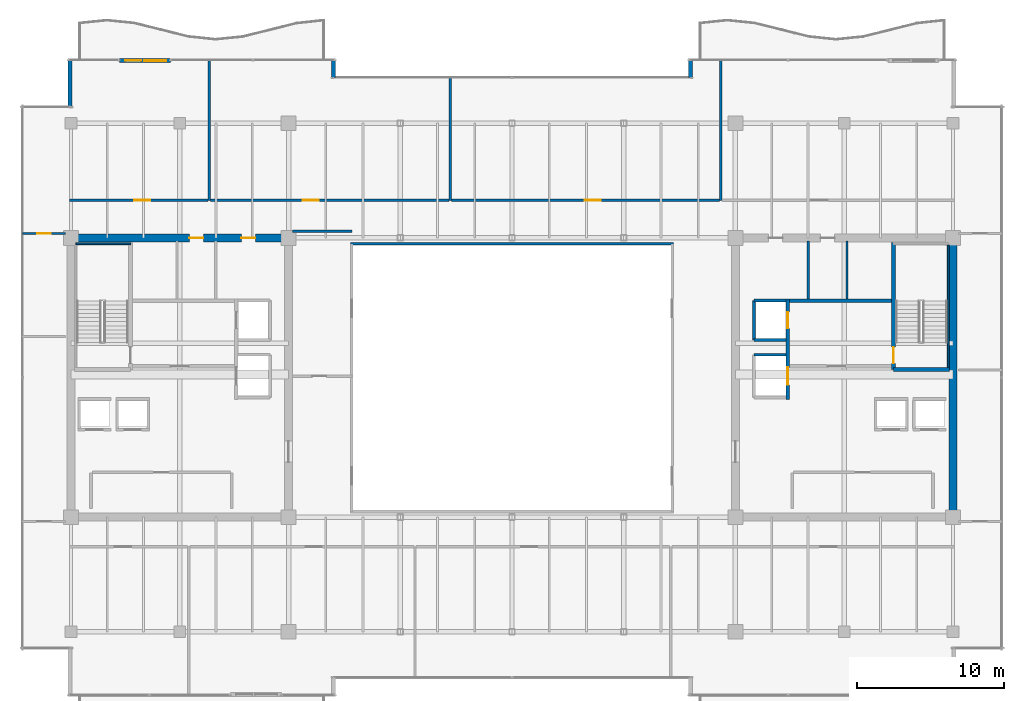
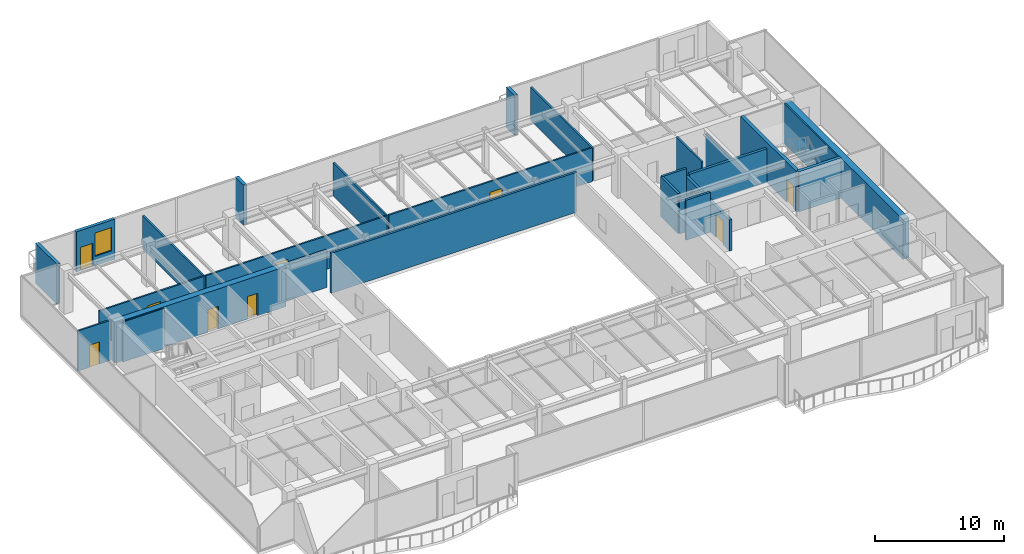
# One storey, part 30 of 34: 27 walls, 10 doors, 1 window, 11 openings.
"""IFC4 building model written with IfcOpenShell, lengths in metres."""

from ifc_helpers import new_model, si_unit, direction, frame, frame_2d, origin, place, context, subcontext, project, spatial, rectangle, extrude, source, transform, mapped, material, layer, layer_set, type_object, type_shapes, element, fill, save


model = new_model("IFC4")

# Units and contexts
model_context = context("Model", 3, precision=1e-05, world=origin(), true_north=direction((0.0, 1.0)))
body_context = subcontext(model_context, "Body", "Model", "MODEL_VIEW")
ifc_project = project(units=[si_unit("LENGTHUNIT", "METRE"), si_unit("AREAUNIT", "SQUARE_METRE"), si_unit("VOLUMEUNIT", "CUBIC_METRE"), si_unit("PLANEANGLEUNIT", "RADIAN"), si_unit("MASSUNIT", "GRAM", prefix="KILO")], contexts=[model_context])

# Site, building, storey
site_placement = place(None, origin())
site = spatial("IfcSite", under=ifc_project, at=site_placement, CompositionType="ELEMENT")
building_placement = place(site_placement, origin())
building = spatial("IfcBuilding", under=site, at=building_placement, Name="Haelvirn Gate Laboratories", CompositionType="ELEMENT")
storey_placement = place(building_placement, frame((0.0, 0.0, 246.5)))
storey = spatial("IfcBuildingStorey", under=building, at=storey_placement, Name="L59", CompositionType="ELEMENT", Elevation=246.5)

# Wall, openings, door, window
ifc_material_1 = material(Name="Thermally-broken bronze aluminium rainscreen & mineral wool", Category="aluminium")
ifc_layer_1 = layer(ifc_material_1, 0.280029296875, Name="EW-TERR-280")
ifc_layer_set_1 = layer_set([ifc_layer_1], Name="Thermally-broken bronze aluminium rainscreen & mineral wool")
wall_type_1 = type_object("IfcWallType", Name="EW-TERR-280", PredefinedType="STANDARD", material=ifc_layer_set_1)
wall_1_placement = place(storey_placement, frame((10.697021484375, 45.860107421875, 0.0), z_axis=(0.0, 0.0, 1.0), x_axis=(1.0, 0.0, 0.0)))
wall_1 = element("IfcWall", 1, at=wall_1_placement, inside=storey, type_object=wall_type_1, Name="L59 Terrace Access Wall WB-WL-N", PredefinedType="STANDARD", context=body_context, shape_type="SweptSolid", body=[
    extrude(rectangle(XDim=3.4560546875, YDim=0.280029296875, at=frame_2d((1.72802734375, 0.0))), origin(), (0.0, 0.0, 1.0), 3.800048828125),
])
opening_1_placement = place(wall_1_placement, frame((0.3779296875, 0.0, 0.0)))
opening_1 = element("IfcOpeningElement", 2, at=opening_1_placement, cuts=wall_1, Name="Opening TD1", PredefinedType="OPENING", context=body_context, shape_type="SweptSolid", body=[
    extrude(rectangle(XDim=1.10009765625, YDim=2.199951171875, at=frame_2d((0.550048828125, 1.10009765625))), frame((0.0, 0.14990234375, 0.0), z_axis=(0.0, -1.0, 0.0), x_axis=(1.0, 0.0, 0.0)), (0.0, 0.0, 1.0), 0.300048828125),
])
opening_2_placement = place(wall_1_placement, frame((1.677978515625, 0.0, 0.89990234375)))
opening_2 = element("IfcOpeningElement", 3, at=opening_2_placement, cuts=wall_1, Name="Opening W3", PredefinedType="OPENING", context=body_context, shape_type="SweptSolid", body=[
    extrude(rectangle(XDim=1.5, YDim=2.199951171875, at=frame_2d((0.75, 1.10009765625))), frame((0.0, 0.14990234375, 0.0), z_axis=(0.0, -1.0, 0.0), x_axis=(1.0, 0.0, 0.0)), (0.0, 0.0, 1.0), 0.300048828125),
])
ifc_material_2 = material(Name="Thermally-broken bronze aluminium glazed terrace door", Category="aluminium")
door_type_1 = type_object("IfcDoorType", Name="DR-TERR-1100", OperationType="NOTDEFINED", PredefinedType="DOOR", material=ifc_material_2)
shared_shape_1 = source(origin(), body_context, "Body", "SweptSolid", [
    extrude(rectangle(XDim=1.10009765625, YDim=2.199951171875, at=frame_2d((0.550048828125, 1.10009765625))), frame((0.0, 0.02490234375, 0.0), z_axis=(0.0, -1.0, 0.0), x_axis=(1.0, 0.0, 0.0)), (0.0, 0.0, 1.0), 0.050048828125),
])
type_shapes(door_type_1, [shared_shape_1])
door_1_placement = place(opening_1_placement, origin())
door_1 = element("IfcDoor", 4, at=door_1_placement, inside=storey, type_object=door_type_1, Name="L59 Terrace Access Door WB-WL-N", OperationType="SINGLE_SWING_RIGHT", OverallHeight=2.199951171875, OverallWidth=1.10009765625, PredefinedType="DOOR", context=body_context, shape_type="MappedRepresentation", body=[
    mapped(shared_shape_1, transform((0.0, 0.0, 0.0), scale=1.0)),
])
fill(opening_1, door_1)
ifc_material_3 = material(Name="Bronze anodised aluminium & triple low-E glass", Category="aluminium")
window_type = type_object("IfcWindowType", Name="WIN-TERR-1600", PartitioningType="SINGLE_PANEL", PredefinedType="WINDOW", material=ifc_material_3)
shared_shape_2 = source(origin(), body_context, "Body", "SweptSolid", [
    extrude(rectangle(XDim=1.5, YDim=2.199951171875, at=frame_2d((0.75, 1.10009765625))), frame((0.0, 0.030029296875, 0.0), z_axis=(0.0, -1.0, 0.0), x_axis=(1.0, 0.0, 0.0)), (0.0, 0.0, 1.0), 0.06005859375),
])
type_shapes(window_type, [shared_shape_2])
window_placement = place(opening_2_placement, origin())
window = element("IfcWindow", 5, at=window_placement, inside=storey, type_object=window_type, Name="L59 Terrace Vision Window WB-WL-N", OverallHeight=2.199951171875, OverallWidth=1.5, PartitioningType="SINGLE_PANEL", PredefinedType="WINDOW", context=body_context, shape_type="MappedRepresentation", body=[
    mapped(shared_shape_2, transform((0.0, 0.0, 0.0), scale=1.0)),
])
fill(opening_2, window)

# Walls
for number, where, z_axis, x_axis, name in (
    (6, (49.5400390625, 46.0, 0.0), (0.0, 0.0, 1.0), (0.0, -1.0, 0.0), "L59 Atrium Recess Bronze Return Wall 11"),
    (7, (25.260009765625, 44.70703125, 0.0), (0.0, 0.0, 1.0), (0.0, 1.0, 0.0), "L59 Atrium Recess Bronze Return Wall 13"),
):
    element("IfcWall", number, at=place(storey_placement, frame(where, z_axis=z_axis, x_axis=x_axis)), inside=storey, type_object=wall_type_1, Name=name, PredefinedType="STANDARD", context=body_context, shape_type="SweptSolid", body=[
        extrude(rectangle(XDim=1.29296875, YDim=0.280029296875, at=frame_2d((0.646484375, 0.0))), origin(), (0.0, 0.0, 1.0), 3.800048828125),
    ])
wall_2_placement = place(storey_placement, frame((7.340087890625, 46.0, 0.0), z_axis=(0.0, 0.0, 1.0), x_axis=(0.0, -1.0, 0.0)))
element("IfcWall", 8, at=wall_2_placement, inside=storey, type_object=wall_type_1, Name="L59 Atrium Recess Bronze Return Wall 15", PredefinedType="STANDARD", context=body_context, shape_type="SweptSolid", body=[
    extrude(rectangle(XDim=3.2880859375, YDim=0.280029296875, at=frame_2d((1.64404296875, 0.0))), origin(), (0.0, 0.0, 1.0), 3.800048828125),
])
ifc_material_4 = material(Name="Double-layer acoustic gypsum laboratory partition", Category="gypsum")
ifc_layer_2 = layer(ifc_material_4, 0.159912109375, Name="IW-ACOUST-160")
ifc_layer_set_2 = layer_set([ifc_layer_2], Name="Double-layer acoustic gypsum laboratory partition")
wall_type_2 = type_object("IfcWallType", Name="IW-ACOUST-160", PredefinedType="PARTITIONING", material=ifc_layer_set_2)
wall_3_placement = place(storey_placement, frame((16.800048828125, 36.360107421875, 0.0), z_axis=(0.0, 0.0, 1.0), x_axis=(0.0, 1.0, 0.0)))
element("IfcWall", 9, at=wall_3_placement, inside=storey, type_object=wall_type_2, Name="L59 Interior Wall IW-L59-NDIV-01", PredefinedType="PARTITIONING", context=body_context, shape_type="SweptSolid", body=[
    extrude(rectangle(XDim=9.52978515625, YDim=0.159912109375, at=frame_2d((4.764892578125, 0.0))), origin(), (0.0, 0.0, 1.0), 3.135009765625),
])
wall_4_placement = place(storey_placement, frame((33.199951171875, 36.360107421875, 0.0), z_axis=(0.0, 0.0, 1.0), x_axis=(0.0, 1.0, 0.0)))
element("IfcWall", 10, at=wall_4_placement, inside=storey, type_object=wall_type_2, Name="L59 Interior Wall IW-L59-NDIV-02", PredefinedType="PARTITIONING", context=body_context, shape_type="SweptSolid", body=[
    extrude(rectangle(XDim=8.329833984375, YDim=0.159912109375, at=frame_2d((4.1650390625, 0.0))), origin(), (0.0, 0.0, 1.0), 3.135009765625),
])
wall_5_placement = place(storey_placement, frame((51.60009765625, 36.360107421875, 0.0), z_axis=(0.0, 0.0, 1.0), x_axis=(0.0, 1.0, 0.0)))
element("IfcWall", 11, at=wall_5_placement, inside=storey, type_object=wall_type_2, Name="L59 Interior Wall IW-L59-NDIV-03", PredefinedType="PARTITIONING", context=body_context, shape_type="SweptSolid", body=[
    extrude(rectangle(XDim=9.52978515625, YDim=0.159912109375, at=frame_2d((4.764892578125, 0.0))), origin(), (0.0, 0.0, 1.0), 3.135009765625),
])
ifc_material_5 = material(Name="Fire-rated acoustic gypsum board partition", Category="gypsum")
ifc_layer_3 = layer(ifc_material_5, 0.175048828125, Name="IW-ACOUST-180")
ifc_layer_set_3 = layer_set([ifc_layer_3], Name="Fire-rated acoustic gypsum board partition")
wall_type_3 = type_object("IfcWallType", Name="IW-ACOUST-180", PredefinedType="PARTITIONING", material=ifc_layer_set_3)
wall_6_placement = place(storey_placement, frame((22.47509765625, 34.260009765625, 0.0), z_axis=(0.0, 0.0, 1.0), x_axis=(1.0, 0.0, 0.0)))
element("IfcWall", 12, at=wall_6_placement, inside=storey, type_object=wall_type_3, Name="L59 Interior Wall IW-L59-WPOD-N", PredefinedType="PARTITIONING", context=body_context, shape_type="SweptSolid", body=[
    extrude(rectangle(XDim=4.02490234375, YDim=0.175048828125, at=frame_2d((2.012451171875, 0.0))), origin(), (0.0, 0.0, 1.0), 3.534912109375),
])
ifc_material_6 = material(Name="Tempered fire-rated borosilicate glass & anodised aluminium", Category="aluminium")
ifc_layer_4 = layer(ifc_material_6, 0.195068359375, Name="IW-GLAZ-200")
ifc_layer_set_4 = layer_set([ifc_layer_4], Name="Tempered fire-rated borosilicate glass & anodised aluminium")
wall_type_4 = type_object("IfcWallType", Name="IW-GLAZ-200", PredefinedType="SOLIDWALL", material=ifc_layer_set_4)
wall_7_placement = place(storey_placement, frame((26.39990234375, 33.39990234375, 0.0), z_axis=(0.0, 0.0, 1.0), x_axis=(1.0, 0.0, 0.0)))
element("IfcWall", 13, at=wall_7_placement, inside=storey, type_object=wall_type_4, Name="L59 Interior Wall IW-L59-ATRIUM-N", PredefinedType="SOLIDWALL", context=body_context, shape_type="SweptSolid", body=[
    extrude(rectangle(XDim=22.0, YDim=0.195068359375, at=frame_2d((11.0, 0.0))), origin(), (0.0, 0.0, 1.0), 3.800048828125),
])

# Wall, opening, door
ifc_material_7 = material(Name="Acoustic mineral-wool gypsum board partition", Category="gypsum")
ifc_layer_5 = layer(ifc_material_7, 0.139892578125, Name="IW-PART-140")
ifc_layer_set_5 = layer_set([ifc_layer_5], Name="Acoustic mineral-wool gypsum board partition")
wall_type_5 = type_object("IfcWallType", Name="IW-PART-140", PredefinedType="PARTITIONING", material=ifc_layer_set_5)
wall_8_placement = place(storey_placement, frame((7.31005859375, 36.360107421875, 0.0), z_axis=(0.0, 0.0, 1.0), x_axis=(1.0, 0.0, 0.0)))
wall_8 = element("IfcWall", 14, at=wall_8_placement, inside=storey, type_object=wall_type_5, Name="L59 Interior Wall IW-L59-NCORR-01", PredefinedType="PARTITIONING", context=body_context, shape_type="SweptSolid", body=[
    extrude(rectangle(XDim=9.409912109375, YDim=0.139892578125, at=frame_2d((4.705078125, 0.0))), origin(), (0.0, 0.0, 1.0), 3.197021484375),
])
opening_3_placement = place(wall_8_placement, frame((4.38330078125, 0.0, 0.0)))
opening_3 = element("IfcOpeningElement", 15, at=opening_3_placement, cuts=wall_8, Name="Opening D1", PredefinedType="OPENING", context=body_context, shape_type="SweptSolid", body=[
    extrude(rectangle(XDim=1.10009765625, YDim=2.179931640625, at=frame_2d((0.550048828125, 1.08984375))), frame((0.0, 0.080078125, 0.0), z_axis=(0.0, -1.0, 0.0), x_axis=(1.0, 0.0, 0.0)), (0.0, 0.0, 1.0), 0.159912109375),
])
ifc_material_8 = material(Name="Vision-panel acoustic solid-core timber lab door", Category="wood")
door_type_2 = type_object("IfcDoorType", Name="DR-LAB-1100", OperationType="NOTDEFINED", PredefinedType="DOOR", material=ifc_material_8)
shared_shape_3 = source(origin(), body_context, "Body", "SweptSolid", [
    extrude(rectangle(XDim=1.10009765625, YDim=2.179931640625, at=frame_2d((0.550048828125, 1.08984375))), frame((0.0, 0.02490234375, 0.0), z_axis=(0.0, -1.0, 0.0), x_axis=(1.0, 0.0, 0.0)), (0.0, 0.0, 1.0), 0.050048828125),
])
type_shapes(door_type_2, [shared_shape_3])
door_2_placement = place(opening_3_placement, origin())
door_2 = element("IfcDoor", 16, at=door_2_placement, inside=storey, type_object=door_type_2, Name="L59 Colloquium Conference Room Door N1", OperationType="SINGLE_SWING_LEFT", OverallHeight=2.179931640625, OverallWidth=1.10009765625, PredefinedType="DOOR", context=body_context, shape_type="MappedRepresentation", body=[
    mapped(shared_shape_3, transform((0.0, 0.0, 0.0), scale=1.0)),
])
fill(opening_3, door_2)

wall_9_placement = place(storey_placement, frame((16.8798828125, 36.360107421875, 0.0), z_axis=(0.0, 0.0, 1.0), x_axis=(1.0, 0.0, 0.0)))
wall_9 = element("IfcWall", 17, at=wall_9_placement, inside=storey, type_object=wall_type_5, Name="L59 Interior Wall IW-L59-NCORR-02", PredefinedType="PARTITIONING", context=body_context, shape_type="SweptSolid", body=[
    extrude(rectangle(XDim=16.240234375, YDim=0.139892578125, at=frame_2d((8.1201171875, 0.0))), origin(), (0.0, 0.0, 1.0), 3.197021484375),
])
opening_4_placement = place(wall_9_placement, frame((6.2705078125, 0.0, 0.0)))
opening_4 = element("IfcOpeningElement", 18, at=opening_4_placement, cuts=wall_9, Name="Opening D1", PredefinedType="OPENING", context=body_context, shape_type="SweptSolid", body=[
    extrude(rectangle(XDim=1.10009765625, YDim=2.179931640625, at=frame_2d((0.550048828125, 1.08984375))), frame((0.0, 0.080078125, 0.0), z_axis=(0.0, -1.0, 0.0), x_axis=(1.0, 0.0, 0.0)), (0.0, 0.0, 1.0), 0.159912109375),
])
door_3_placement = place(opening_4_placement, origin())
door_3 = element("IfcDoor", 19, at=door_3_placement, inside=storey, type_object=door_type_2, Name="L59 Protocol Briefing Training Room Door N2", OperationType="SINGLE_SWING_RIGHT", OverallHeight=2.179931640625, OverallWidth=1.10009765625, PredefinedType="DOOR", context=body_context, shape_type="MappedRepresentation", body=[
    mapped(shared_shape_3, transform((0.0, 0.0, 0.0), scale=1.0)),
])
fill(opening_4, door_3)

wall_10_placement = place(storey_placement, frame((33.280029296875, 36.360107421875, 0.0), z_axis=(0.0, 0.0, 1.0), x_axis=(1.0, 0.0, 0.0)))
wall_10 = element("IfcWall", 20, at=wall_10_placement, inside=storey, type_object=wall_type_5, Name="L59 Interior Wall IW-L59-NCORR-03", PredefinedType="PARTITIONING", context=body_context, shape_type="SweptSolid", body=[
    extrude(rectangle(XDim=18.239990234375, YDim=0.139892578125, at=frame_2d((9.1201171875, 0.0))), origin(), (0.0, 0.0, 1.0), 3.197021484375),
])
opening_5_placement = place(wall_10_placement, frame((9.063232421875, 0.0, 0.0)))
opening_5 = element("IfcOpeningElement", 21, at=opening_5_placement, cuts=wall_10, Name="Opening D1", PredefinedType="OPENING", context=body_context, shape_type="SweptSolid", body=[
    extrude(rectangle(XDim=1.10009765625, YDim=2.179931640625, at=frame_2d((0.550048828125, 1.08984375))), frame((0.0, 0.080078125, 0.0), z_axis=(0.0, -1.0, 0.0), x_axis=(1.0, 0.0, 0.0)), (0.0, 0.0, 1.0), 0.159912109375),
])
door_4_placement = place(opening_5_placement, origin())
door_4 = element("IfcDoor", 22, at=door_4_placement, inside=storey, type_object=door_type_2, Name="L59 Peer-Review Seminar Room Door N3", OperationType="SINGLE_SWING_LEFT", OverallHeight=2.179931640625, OverallWidth=1.10009765625, PredefinedType="DOOR", context=body_context, shape_type="MappedRepresentation", body=[
    mapped(shared_shape_3, transform((0.0, 0.0, 0.0), scale=1.0)),
])
fill(opening_5, door_4)

wall_11_placement = place(storey_placement, frame((4.110107421875, 34.094970703125, 0.0), z_axis=(0.0, 0.0, 1.0), x_axis=(1.0, 0.0, 0.0)))
wall_11 = element("IfcWall", 23, at=wall_11_placement, inside=storey, type_object=wall_type_5, Name="L59 Interior Wall IW-L59-WZ3-ENT-N", PredefinedType="PARTITIONING", context=body_context, shape_type="SweptSolid", body=[
    extrude(rectangle(XDim=2.909912109375, YDim=0.139892578125, at=frame_2d((1.455078125, 0.0))), origin(), (0.0, 0.0, 1.0), 3.800048828125),
])
opening_6_placement = place(wall_11_placement, frame((1.0048828125, 0.0, 0.0)))
opening_6 = element("IfcOpeningElement", 24, at=opening_6_placement, cuts=wall_11, Name="Opening D4", PredefinedType="OPENING", context=body_context, shape_type="SweptSolid", body=[
    extrude(rectangle(XDim=0.89990234375, YDim=2.10009765625, at=frame_2d((0.449951171875, 1.050048828125))), frame((0.0, 0.080078125, 0.0), z_axis=(0.0, -1.0, 0.0), x_axis=(1.0, 0.0, 0.0)), (0.0, 0.0, 1.0), 0.159912109375),
])
ifc_material_9 = material(Name="Glazed aluminium-framed write-up door", Category="aluminium")
door_type_3 = type_object("IfcDoorType", Name="DR-OFF-900", OperationType="NOTDEFINED", PredefinedType="DOOR", material=ifc_material_9)
shared_shape_4 = source(origin(), body_context, "Body", "SweptSolid", [
    extrude(rectangle(XDim=0.89990234375, YDim=2.10009765625, at=frame_2d((0.449951171875, 1.050048828125))), frame((0.0, 0.02490234375, 0.0), z_axis=(0.0, -1.0, 0.0), x_axis=(1.0, 0.0, 0.0)), (0.0, 0.0, 1.0), 0.050048828125),
])
type_shapes(door_type_3, [shared_shape_4])
door_5_placement = place(opening_6_placement, origin())
door_5 = element("IfcDoor", 25, at=door_5_placement, inside=storey, type_object=door_type_3, Name="L59 Analytical Instrument Suite Door W-N", OperationType="SINGLE_SWING_RIGHT", OverallHeight=2.10009765625, OverallWidth=0.89990234375, PredefinedType="DOOR", context=body_context, shape_type="MappedRepresentation", body=[
    mapped(shared_shape_4, transform((0.0, 0.0, 0.0), scale=1.0)),
])
fill(opening_6, door_5)

# Walls
ifc_material_10 = material(Name="Cement-board restroom plumbing chase wall", Category="gypsum")
ifc_layer_6 = layer(ifc_material_10, 0.155029296875, Name="IW-PLUMB-160")
ifc_layer_set_6 = layer_set([ifc_layer_6], Name="Cement-board restroom plumbing chase wall")
wall_type_6 = type_object("IfcWallType", Name="IW-PLUMB-160", PredefinedType="PLUMBINGWALL", material=ifc_layer_set_6)
wall_12_placement = place(storey_placement, frame((60.18994140625, 29.64990234375, 0.0), z_axis=(0.0, 0.0, 1.0), x_axis=(0.0, 1.0, 0.0)))
element("IfcWall", 26, at=wall_12_placement, inside=storey, type_object=wall_type_6, Name="L59 Interior Wall IW-L59-E-CDIV-0", PredefinedType="PLUMBINGWALL", context=body_context, shape_type="SweptSolid", body=[
    extrude(rectangle(XDim=3.93017578125, YDim=0.155029296875, at=frame_2d((1.965087890625, 0.0))), origin(), (0.0, 0.0, 1.0), 3.197021484375),
])
wall_13_placement = place(storey_placement, frame((57.56005859375, 29.64990234375, 0.0), z_axis=(0.0, 0.0, 1.0), x_axis=(0.0, 1.0, 0.0)))
element("IfcWall", 27, at=wall_13_placement, inside=storey, type_object=wall_type_6, Name="L59 Interior Wall IW-L59-E-CDIV-1", PredefinedType="PLUMBINGWALL", context=body_context, shape_type="SweptSolid", body=[
    extrude(rectangle(XDim=3.93017578125, YDim=0.155029296875, at=frame_2d((1.965087890625, 0.0))), origin(), (0.0, 0.0, 1.0), 3.800048828125),
])
ifc_material_11 = material(Name="Concrete C40/50", Category="concrete")
ifc_layer_7 = layer(ifc_material_11, 0.199951171875, Name="IW-SHAFT-200")
ifc_layer_set_7 = layer_set([ifc_layer_7], Name="Concrete C40/50")
wall_type_7 = type_object("IfcWallType", Name="IW-SHAFT-200", PredefinedType="SOLIDWALL", material=ifc_layer_set_7)
wall_14_placement = place(storey_placement, frame((53.85009765625, 26.85009765625, 0.0), z_axis=(0.0, 0.0, 1.0), x_axis=(0.0, 1.0, 0.0)))
element("IfcWall", 28, at=wall_14_placement, inside=storey, type_object=wall_type_7, Name="L59 Interior Wall IW-L59-FL2-BK", PredefinedType="SOLIDWALL", context=body_context, shape_type="SweptSolid", body=[
    extrude(rectangle(XDim=2.699951171875, YDim=0.199951171875, at=frame_2d((1.35009765625, 0.0))), origin(), (0.0, 0.0, 1.0), 3.800048828125),
])
wall_15_placement = place(storey_placement, frame((53.85009765625, 29.550048828125, 0.0), z_axis=(0.0, 0.0, 1.0), x_axis=(1.0, 0.0, 0.0)))
element("IfcWall", 29, at=wall_15_placement, inside=storey, type_object=wall_type_7, Name="L59 Interior Wall IW-L59-FL2-N", PredefinedType="SOLIDWALL", context=body_context, shape_type="SweptSolid", body=[
    extrude(rectangle(XDim=2.18994140625, YDim=0.199951171875, at=frame_2d((1.094970703125, 0.0))), origin(), (0.0, 0.0, 1.0), 3.800048828125),
])
wall_16_placement = place(storey_placement, frame((53.85009765625, 26.85009765625, 0.0), z_axis=(0.0, 0.0, 1.0), x_axis=(1.0, 0.0, 0.0)))
element("IfcWall", 30, at=wall_16_placement, inside=storey, type_object=wall_type_7, Name="L59 Interior Wall IW-L59-FL2-S", PredefinedType="SOLIDWALL", context=body_context, shape_type="SweptSolid", body=[
    extrude(rectangle(XDim=2.18994140625, YDim=0.199951171875, at=frame_2d((1.094970703125, 0.0))), origin(), (0.0, 0.0, 1.0), 3.197021484375),
])
wall_17_placement = place(storey_placement, frame((53.85009765625, 25.85009765625, 0.0), z_axis=(0.0, 0.0, 1.0), x_axis=(1.0, 0.0, 0.0)))
element("IfcWall", 31, at=wall_17_placement, inside=storey, type_object=wall_type_7, Name="L59 Interior Wall IW-L59-SL2-N", PredefinedType="SOLIDWALL", context=body_context, shape_type="SweptSolid", body=[
    extrude(rectangle(XDim=2.18994140625, YDim=0.199951171875, at=frame_2d((1.094970703125, 0.0))), origin(), (0.0, 0.0, 1.0), 3.800048828125),
])
ifc_layer_8 = layer(ifc_material_11, 0.239990234375, Name="IW-SHAFT-240")
ifc_layer_set_8 = layer_set([ifc_layer_8], Name="Concrete C40/50")
wall_type_8 = type_object("IfcWallType", Name="IW-SHAFT-240", PredefinedType="SOLIDWALL", material=ifc_layer_set_8)
wall_18_placement = place(storey_placement, frame((56.280029296875, 29.52001953125, 0.0), z_axis=(0.0, 0.0, 1.0), x_axis=(1.0, 0.0, 0.0)))
element("IfcWall", 32, at=wall_18_placement, inside=storey, type_object=wall_type_8, Name="L59 Interior Wall IW-L59-E-FF-N", PredefinedType="SOLIDWALL", context=body_context, shape_type="SweptSolid", body=[
    extrude(rectangle(XDim=6.919921875, YDim=0.239990234375, at=frame_2d((3.4599609375, 0.0))), origin(), (0.0, 0.0, 1.0), 3.197021484375),
])

# Wall, openings, doors
wall_19_placement = place(storey_placement, frame((56.159912109375, 22.800048828125, 0.0), z_axis=(0.0, 0.0, 1.0), x_axis=(0.0, 1.0, 0.0)))
wall_19 = element("IfcWall", 33, at=wall_19_placement, inside=storey, type_object=wall_type_8, Name="L59 Interior Wall IW-L59-E-FF-E", PredefinedType="SOLIDWALL", context=body_context, shape_type="SweptSolid", body=[
    extrude(rectangle(XDim=6.849853515625, YDim=0.239990234375, at=frame_2d((3.4248046875, 0.0))), origin(), (0.0, 0.0, 1.0), 2.93505859375),
])
opening_7_placement = place(wall_19_placement, frame((4.85009765625, 0.0, 0.0)))
opening_7 = element("IfcOpeningElement", 34, at=opening_7_placement, cuts=wall_19, Name="Opening LD2", PredefinedType="OPENING", context=body_context, shape_type="SweptSolid", body=[
    extrude(rectangle(XDim=1.10009765625, YDim=2.219970703125, at=frame_2d((0.550048828125, 1.10986328125))), frame((0.0, 0.1298828125, 0.0), z_axis=(0.0, -1.0, 0.0), x_axis=(1.0, 0.0, 0.0)), (0.0, 0.0, 1.0), 0.260009765625),
])
opening_8_placement = place(wall_19_placement, frame((1.0, 0.0, 0.0)))
opening_8 = element("IfcOpeningElement", 35, at=opening_8_placement, cuts=wall_19, Name="Opening LD1", PredefinedType="OPENING", context=body_context, shape_type="SweptSolid", body=[
    extrude(rectangle(XDim=1.199951171875, YDim=2.219970703125, at=frame_2d((0.60009765625, 1.10986328125))), frame((0.0, 0.1298828125, 0.0), z_axis=(0.0, -1.0, 0.0), x_axis=(1.0, 0.0, 0.0)), (0.0, 0.0, 1.0), 0.260009765625),
])
ifc_material_12 = material(Name="Bronze stainless 316L sliding lift landing door")
door_type_4 = type_object("IfcDoorType", Name="DR-LD-1100", OperationType="NOTDEFINED", PredefinedType="USERDEFINED", material=ifc_material_12)
shared_shape_5 = source(origin(), body_context, "Body", "SweptSolid", [
    extrude(rectangle(XDim=1.10009765625, YDim=2.219970703125, at=frame_2d((0.550048828125, 1.10986328125))), frame((0.0, 0.02490234375, 0.0), z_axis=(0.0, -1.0, 0.0), x_axis=(1.0, 0.0, 0.0)), (0.0, 0.0, 1.0), 0.050048828125),
])
type_shapes(door_type_4, [shared_shape_5])
door_6_placement = place(opening_7_placement, origin())
door_6 = element("IfcDoor", 36, at=door_6_placement, inside=storey, type_object=door_type_4, Name="L59 Firefighting Lift FL2 Landing Door", ObjectType="LANDING_DOOR", OperationType="SLIDING_TO_RIGHT", OverallHeight=2.219970703125, OverallWidth=1.10009765625, PredefinedType="USERDEFINED", context=body_context, shape_type="MappedRepresentation", body=[
    mapped(shared_shape_5, transform((0.0, 0.0, 0.0), scale=1.0)),
])
fill(opening_7, door_6)
ifc_material_13 = material(Name="Stainless steel 316L sliding goods landing door", Category="steel")
door_type_5 = type_object("IfcDoorType", Name="DR-LD-1200", OperationType="NOTDEFINED", PredefinedType="USERDEFINED", material=ifc_material_13)
shared_shape_6 = source(origin(), body_context, "Body", "SweptSolid", [
    extrude(rectangle(XDim=1.199951171875, YDim=2.219970703125, at=frame_2d((0.60009765625, 1.10986328125))), frame((0.0, 0.02490234375, 0.0), z_axis=(0.0, -1.0, 0.0), x_axis=(1.0, 0.0, 0.0)), (0.0, 0.0, 1.0), 0.050048828125),
])
type_shapes(door_type_5, [shared_shape_6])
door_7_placement = place(opening_8_placement, origin())
door_7 = element("IfcDoor", 37, at=door_7_placement, inside=storey, type_object=door_type_5, Name="L59 Service Lift SL2 Landing Door", ObjectType="LANDING_DOOR", OperationType="SLIDING_TO_LEFT", OverallHeight=2.219970703125, OverallWidth=1.199951171875, PredefinedType="USERDEFINED", context=body_context, shape_type="MappedRepresentation", body=[
    mapped(shared_shape_6, transform((0.0, 0.0, 0.0), scale=1.0)),
])
fill(opening_8, door_7)

ifc_material_14 = material(Name="Concrete C50/60", Category="concrete")
ifc_layer_9 = layer(ifc_material_14, 0.550048828125, Name="SW-CORE-550")
ifc_layer_set_9 = layer_set([ifc_layer_9], Name="Concrete C50/60")
wall_type_9 = type_object("IfcWallType", Name="SW-CORE-550", PredefinedType="SHEAR", material=ifc_layer_set_9)
wall_20_placement = place(storey_placement, frame((7.125, 33.800048828125, 0.0), z_axis=(0.0, 0.0, 1.0), x_axis=(1.0, 0.0, 0.0)))
wall_20 = element("IfcWall", 38, at=wall_20_placement, inside=storey, type_object=wall_type_9, Name="L59 W Core Shear Wall N", PredefinedType="SHEAR", context=body_context, shape_type="SweptSolid", body=[
    extrude(rectangle(XDim=15.35009765625, YDim=0.550048828125, at=frame_2d((7.675048828125, 0.0))), origin(), (0.0, 0.0, 1.0), 3.800048828125),
])
opening_9_placement = place(wall_20_placement, frame((8.324951171875, 0.0, 0.0)))
opening_9 = element("IfcOpeningElement", 39, at=opening_9_placement, cuts=wall_20, Name="Opening FD4", PredefinedType="OPENING", context=body_context, shape_type="SweptSolid", body=[
    extrude(rectangle(XDim=0.949951171875, YDim=2.14990234375, at=frame_2d((0.47509765625, 1.074951171875))), frame((0.0, 0.28515625, 0.0), z_axis=(0.0, -1.0, 0.0), x_axis=(1.0, 0.0, 0.0)), (0.0, 0.0, 1.0), 0.570068359375),
])
opening_10_placement = place(wall_20_placement, frame((11.864990234375, 0.0, 0.0)))
opening_10 = element("IfcOpeningElement", 40, at=opening_10_placement, cuts=wall_20, Name="Opening FD4", PredefinedType="OPENING", context=body_context, shape_type="SweptSolid", body=[
    extrude(rectangle(XDim=0.949951171875, YDim=2.14990234375, at=frame_2d((0.47509765625, 1.074951171875))), frame((0.0, 0.28515625, 0.0), z_axis=(0.0, -1.0, 0.0), x_axis=(1.0, 0.0, 0.0)), (0.0, 0.0, 1.0), 0.570068359375),
])
ifc_material_15 = material(Name="Fire-rated steel SM355 core service door", Category="steel")
door_type_6 = type_object("IfcDoorType", Name="DR-FD-950", OperationType="NOTDEFINED", PredefinedType="DOOR", material=ifc_material_15)
shared_shape_7 = source(origin(), body_context, "Body", "SweptSolid", [
    extrude(rectangle(XDim=0.949951171875, YDim=2.14990234375, at=frame_2d((0.47509765625, 1.074951171875))), frame((0.0, 0.02490234375, 0.0), z_axis=(0.0, -1.0, 0.0), x_axis=(1.0, 0.0, 0.0)), (0.0, 0.0, 1.0), 0.050048828125),
])
type_shapes(door_type_6, [shared_shape_7])
door_8_placement = place(opening_9_placement, origin())
door_8 = element("IfcDoor", 41, at=door_8_placement, inside=storey, type_object=door_type_6, Name="L59 Accessible Restroom Fire Door", OperationType="SINGLE_SWING_RIGHT", OverallHeight=2.14990234375, OverallWidth=0.949951171875, PredefinedType="DOOR", context=body_context, shape_type="MappedRepresentation", body=[
    mapped(shared_shape_7, transform((0.0, 0.0, 0.0), scale=1.0)),
])
fill(opening_9, door_8)
door_9_placement = place(opening_10_placement, origin())
door_9 = element("IfcDoor", 42, at=door_9_placement, inside=storey, type_object=door_type_6, Name="L59 Staff Restroom Fire Door", OperationType="SINGLE_SWING_LEFT", OverallHeight=2.14990234375, OverallWidth=0.949951171875, PredefinedType="DOOR", context=body_context, shape_type="MappedRepresentation", body=[
    mapped(shared_shape_7, transform((0.0, 0.0, 0.0), scale=1.0)),
])
fill(opening_10, door_9)

# Walls
wall_21_placement = place(storey_placement, frame((67.39990234375, 15.074951171875, 0.0), z_axis=(0.0, 0.0, 1.0), x_axis=(0.0, 1.0, 0.0)))
element("IfcWall", 43, at=wall_21_placement, inside=storey, type_object=wall_type_9, Name="L59 E Core Shear Wall E", PredefinedType="SHEAR", context=body_context, shape_type="SweptSolid", body=[
    extrude(rectangle(XDim=18.449951171875, YDim=0.550048828125, at=frame_2d((9.22509765625, 0.0))), origin(), (0.0, 0.0, 1.0), 3.800048828125),
])
ifc_layer_10 = layer(ifc_material_14, 0.1201171875, Name="SW-LINER-120")
ifc_layer_set_10 = layer_set([ifc_layer_10], Name="Concrete C50/60")
wall_type_10 = type_object("IfcWallType", Name="SW-LINER-120", PredefinedType="SOLIDWALL", material=ifc_layer_set_10)
wall_22_placement = place(storey_placement, frame((7.72998046875, 33.39990234375, 0.0), z_axis=(0.0, 0.0, 1.0), x_axis=(1.0, 0.0, 0.0)))
element("IfcWall", 44, at=wall_22_placement, inside=storey, type_object=wall_type_10, Name="L59 W Core Stair Shaft Liner Wall N", PredefinedType="SOLIDWALL", context=body_context, shape_type="SweptSolid", body=[
    extrude(rectangle(XDim=3.719970703125, YDim=0.1201171875, at=frame_2d((1.85986328125, 0.0))), origin(), (0.0, 0.0, 1.0), 3.800048828125),
])
wall_23_placement = place(storey_placement, frame((67.070068359375, 25.0, 0.0), z_axis=(0.0, 0.0, 1.0), x_axis=(0.0, 1.0, 0.0)))
element("IfcWall", 45, at=wall_23_placement, inside=storey, type_object=wall_type_10, Name="L59 E Core Stair Shaft Liner Wall OUT", PredefinedType="SOLIDWALL", context=body_context, shape_type="SweptSolid", body=[
    extrude(rectangle(XDim=8.320068359375, YDim=0.1201171875, at=frame_2d((4.16015625, 0.0))), origin(), (0.0, 0.0, 1.0), 3.800048828125),
])

# Wall, opening, door
ifc_layer_11 = layer(ifc_material_14, 0.300048828125, Name="SW-STAIR-300")
ifc_layer_set_11 = layer_set([ifc_layer_11], Name="Concrete C50/60")
wall_type_11 = type_object("IfcWallType", Name="SW-STAIR-300", PredefinedType="SHEAR", material=ifc_layer_set_11)
wall_24_placement = place(storey_placement, frame((63.35009765625, 24.85009765625, 0.0), z_axis=(0.0, 0.0, 1.0), x_axis=(0.0, 1.0, 0.0)))
wall_24 = element("IfcWall", 46, at=wall_24_placement, inside=storey, type_object=wall_type_11, Name="L59 E Core Stair Shaft Structural Wall IN", PredefinedType="SHEAR", context=body_context, shape_type="SweptSolid", body=[
    extrude(rectangle(XDim=8.6298828125, YDim=0.300048828125, at=frame_2d((4.31494140625, 0.0))), origin(), (0.0, 0.0, 1.0), 3.800048828125),
])
opening_11_placement = place(wall_24_placement, frame((0.419921875, 0.0, 0.0)))
opening_11 = element("IfcOpeningElement", 47, at=opening_11_placement, cuts=wall_24, Name="Opening FD3", PredefinedType="OPENING", context=body_context, shape_type="SweptSolid", body=[
    extrude(rectangle(XDim=1.10009765625, YDim=2.14990234375, at=frame_2d((0.550048828125, 1.074951171875))), frame((0.0, 0.16015625, 0.0), z_axis=(0.0, -1.0, 0.0), x_axis=(1.0, 0.0, 0.0)), (0.0, 0.0, 1.0), 0.320068359375),
])
ifc_material_16 = material(Name="Fire-rated steel SM355 escape stair door", Category="steel")
door_type_7 = type_object("IfcDoorType", Name="DR-FD-1100", OperationType="NOTDEFINED", PredefinedType="DOOR", material=ifc_material_16)
shared_shape_8 = source(origin(), body_context, "Body", "SweptSolid", [
    extrude(rectangle(XDim=1.10009765625, YDim=2.14990234375, at=frame_2d((0.550048828125, 1.074951171875))), frame((0.0, 0.02490234375, 0.0), z_axis=(0.0, -1.0, 0.0), x_axis=(1.0, 0.0, 0.0)), (0.0, 0.0, 1.0), 0.050048828125),
])
type_shapes(door_type_7, [shared_shape_8])
door_10_placement = place(opening_11_placement, origin())
door_10 = element("IfcDoor", 48, at=door_10_placement, inside=storey, type_object=door_type_7, Name="L59 Escape Stair ST2 Fire Door", OperationType="SINGLE_SWING_RIGHT", OverallHeight=2.14990234375, OverallWidth=1.10009765625, PredefinedType="DOOR", context=body_context, shape_type="MappedRepresentation", body=[
    mapped(shared_shape_8, transform((0.0, 0.0, 0.0), scale=1.0)),
])
fill(opening_11, door_10)

# Wall
wall_25_placement = place(storey_placement, frame((63.35009765625, 24.85009765625, 0.0), z_axis=(0.0, 0.0, 1.0), x_axis=(1.0, 0.0, 0.0)))
element("IfcWall", 49, at=wall_25_placement, inside=storey, type_object=wall_type_11, Name="L59 E Core Stair Shaft Structural Wall S", PredefinedType="SHEAR", context=body_context, shape_type="SweptSolid", body=[
    extrude(rectangle(XDim=3.7998046875, YDim=0.300048828125, at=frame_2d((1.89990234375, 0.0))), origin(), (0.0, 0.0, 1.0), 3.800048828125),
])

save(model, "model.ifc")
